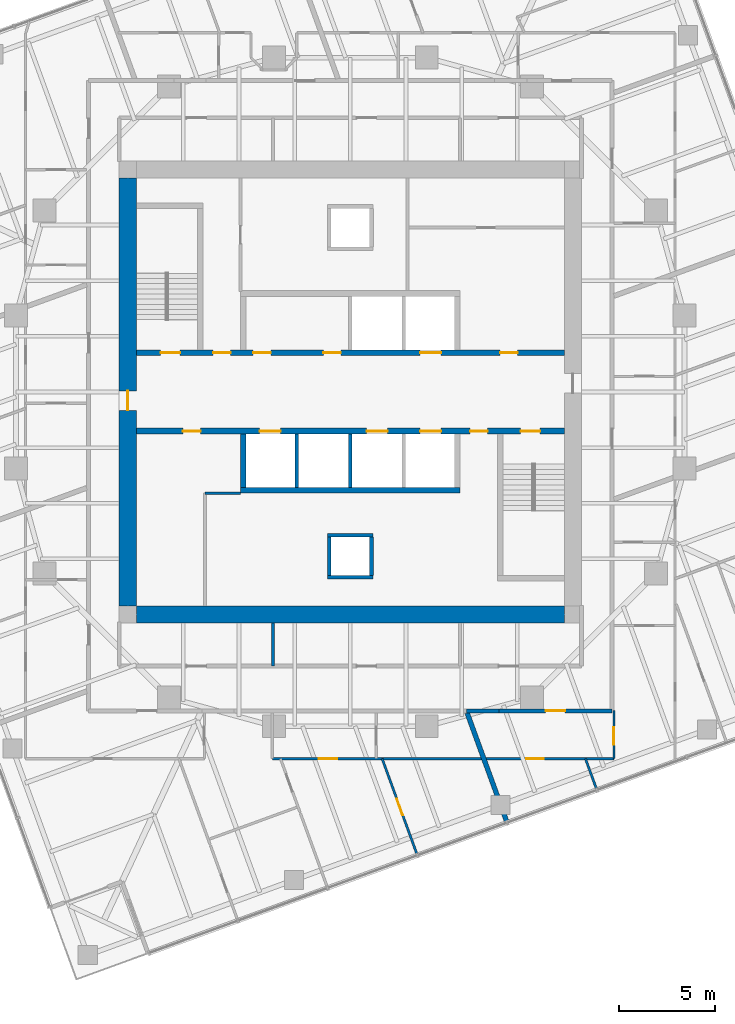
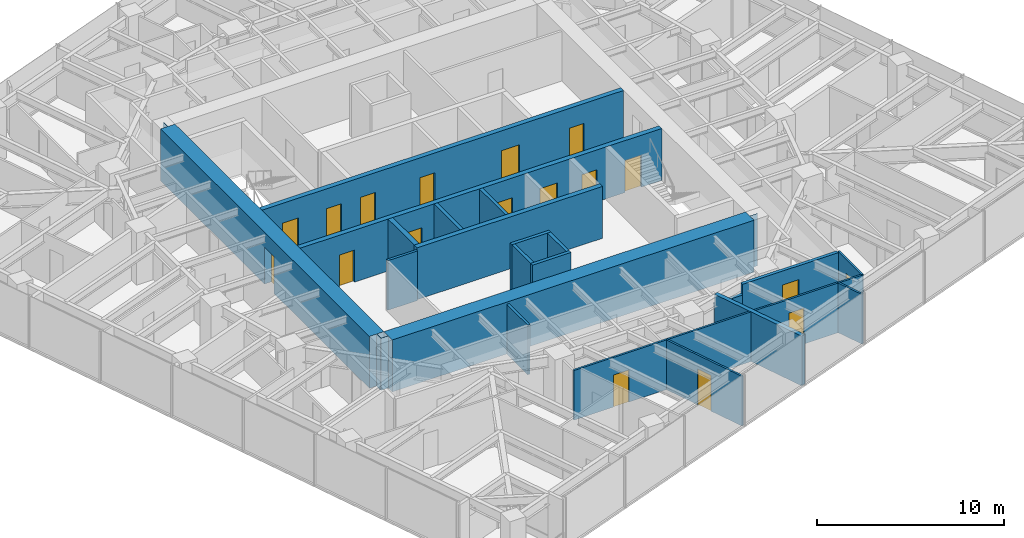
# One storey, part 8 of 13: 21 walls, 18 doors, 18 openings.
"""IFC4 building model written with IfcOpenShell, lengths in metres."""

from ifc_helpers import new_model, si_unit, direction, frame, frame_2d, origin, place, context, subcontext, project, spatial, polyline, rectangle, outline, extrude, material, layer, layer_set, type_object, element, fill, save


model = new_model("IFC4")

# Units and contexts
model_context = context("Model", 3, precision=1e-05, world=origin(), true_north=direction((0.0, 1.0)))
body_context = subcontext(model_context, "Body", "Model", "MODEL_VIEW")
ifc_project = project(units=[si_unit("LENGTHUNIT", "METRE"), si_unit("AREAUNIT", "SQUARE_METRE"), si_unit("VOLUMEUNIT", "CUBIC_METRE"), si_unit("PLANEANGLEUNIT", "RADIAN"), si_unit("MASSUNIT", "GRAM", prefix="KILO")], contexts=[model_context])

# Site, building, storey
site_placement = place(None, origin())
site = spatial("IfcSite", under=ifc_project, at=site_placement, CompositionType="ELEMENT")
building_placement = place(site_placement, origin())
building = spatial("IfcBuilding", under=site, at=building_placement, Name="Torsade Residences", CompositionType="ELEMENT")
storey_placement = place(building_placement, frame((0.0, 0.0, 147.199951171875)))
storey = spatial("IfcBuildingStorey", under=building, at=storey_placement, Name="L40", CompositionType="ELEMENT", Elevation=147.199951171875)

# Wall, openings, doors
ifc_material_1 = material(Name="Concrete 80 MPa", Category="concrete")
ifc_layer_1 = layer(ifc_material_1, 0.300048828125)
ifc_layer_set_1 = layer_set([ifc_layer_1], Name="Concrete 80 MPa")
wall_type_1 = type_object("IfcWallType", Name="CORE INTERNAL WALL 300", PredefinedType="SHEAR", material=ifc_layer_set_1)
wall_1_placement = place(storey_placement, frame((28.800048828125, 32.050048828125, 0.0), z_axis=(0.0, 0.0, 1.0), x_axis=(1.0, 0.0, 0.0)))
wall_1 = element("IfcWall", 1, at=wall_1_placement, inside=storey, type_object=wall_type_1, Name="Core wall LN L40", PredefinedType="SHEAR", context=body_context, shape_type="SweptSolid", body=[
    extrude(rectangle(XDim=22.39990234375, YDim=0.300048828125, at=frame_2d((11.199951171875, 0.0))), origin(), (0.0, 0.0, 1.0), 3.400146484375),
])
opening_1_placement = place(wall_1_placement, frame((19.0400390625, 0.0, 0.0)))
opening_1 = element("IfcOpeningElement", 2, at=opening_1_placement, cuts=wall_1, Name="Opening D06", PredefinedType="OPENING", context=body_context, shape_type="SweptSolid", body=[
    extrude(rectangle(XDim=0.919921875, YDim=2.10009765625, at=frame_2d((0.4599609375, 1.050048828125))), frame((0.0, 0.159912109375, 0.0), z_axis=(0.0, -1.0, 0.0), x_axis=(1.0, 0.0, 0.0)), (0.0, 0.0, 1.0), 0.320068359375),
])
opening_2_placement = place(wall_1_placement, frame((1.264892578125, 0.0, 0.0)))
opening_2 = element("IfcOpeningElement", 3, at=opening_2_placement, cuts=wall_1, Name="Opening D03", PredefinedType="OPENING", context=body_context, shape_type="SweptSolid", body=[
    extrude(rectangle(XDim=1.02001953125, YDim=2.10009765625, at=frame_2d((0.510009765625, 1.050048828125))), frame((0.0, 0.159912109375, 0.0), z_axis=(0.0, -1.0, 0.0), x_axis=(1.0, 0.0, 0.0)), (0.0, 0.0, 1.0), 0.320068359375),
])
opening_3_placement = place(wall_1_placement, frame((4.014892578125, 0.0, 0.0)))
opening_3 = element("IfcOpeningElement", 4, at=opening_3_placement, cuts=wall_1, Name="Opening D06", PredefinedType="OPENING", context=body_context, shape_type="SweptSolid", body=[
    extrude(rectangle(XDim=0.919921875, YDim=2.10009765625, at=frame_2d((0.4599609375, 1.050048828125))), frame((0.0, 0.159912109375, 0.0), z_axis=(0.0, -1.0, 0.0), x_axis=(1.0, 0.0, 0.0)), (0.0, 0.0, 1.0), 0.320068359375),
])
opening_4_placement = place(wall_1_placement, frame((6.114990234375, 0.0, 0.0)))
opening_4 = element("IfcOpeningElement", 5, at=opening_4_placement, cuts=wall_1, Name="Opening D06", PredefinedType="OPENING", context=body_context, shape_type="SweptSolid", body=[
    extrude(rectangle(XDim=0.919921875, YDim=2.10009765625, at=frame_2d((0.4599609375, 1.050048828125))), frame((0.0, 0.159912109375, 0.0), z_axis=(0.0, -1.0, 0.0), x_axis=(1.0, 0.0, 0.0)), (0.0, 0.0, 1.0), 0.320068359375),
])
opening_5_placement = place(wall_1_placement, frame((9.7900390625, 0.0, 0.0)))
opening_5 = element("IfcOpeningElement", 6, at=opening_5_placement, cuts=wall_1, Name="Opening D06", PredefinedType="OPENING", context=body_context, shape_type="SweptSolid", body=[
    extrude(rectangle(XDim=0.919921875, YDim=2.10009765625, at=frame_2d((0.4599609375, 1.050048828125))), frame((0.0, 0.159912109375, 0.0), z_axis=(0.0, -1.0, 0.0), x_axis=(1.0, 0.0, 0.0)), (0.0, 0.0, 1.0), 0.320068359375),
])
opening_6_placement = place(wall_1_placement, frame((14.85009765625, 0.0, 0.0)))
opening_6 = element("IfcOpeningElement", 7, at=opening_6_placement, cuts=wall_1, Name="Opening LD", PredefinedType="OPENING", context=body_context, shape_type="SweptSolid", body=[
    extrude(rectangle(XDim=1.10009765625, YDim=2.10009765625, at=frame_2d((0.550048828125, 1.050048828125))), frame((0.0, 0.159912109375, 0.0), z_axis=(0.0, -1.0, 0.0), x_axis=(1.0, 0.0, 0.0)), (0.0, 0.0, 1.0), 0.320068359375),
])
ifc_material_2 = material(Name="Steel-framed fire door", Category="steel")
door_type_1 = type_object("IfcDoorType", Name="FIRE DOOR 1020", OperationType="NOTDEFINED", PredefinedType="DOOR", material=ifc_material_2)
door_1_placement = place(opening_2_placement, origin())
door_1 = element("IfcDoor", 8, at=door_1_placement, inside=storey, type_object=door_type_1, Name="Exit door to fire-isolated stair ST1 L40", OperationType="SINGLE_SWING_RIGHT", OverallHeight=2.10009765625, OverallWidth=1.02001953125, PredefinedType="DOOR", context=body_context, shape_type="SweptSolid", body=[
    extrude(rectangle(XDim=1.02001953125, YDim=2.10009765625, at=frame_2d((0.510009765625, 1.050048828125))), frame((0.0, 0.02490234375, 0.0), z_axis=(0.0, -1.0, 0.0), x_axis=(1.0, 0.0, 0.0)), (0.0, 0.0, 1.0), 0.050048828125),
])
fill(opening_2, door_1)
ifc_material_3 = material(Name="Steel-framed fire door", Category="steel")
door_type_2 = type_object("IfcDoorType", Name="FIRE DOOR 920", OperationType="NOTDEFINED", PredefinedType="DOOR", material=ifc_material_3)
door_2_placement = place(opening_1_placement, origin())
door_2 = element("IfcDoor", 9, at=door_2_placement, inside=storey, type_object=door_type_2, Name="Door Lift lobby to Refuse room", OperationType="SINGLE_SWING_LEFT", OverallHeight=2.10009765625, OverallWidth=0.919921875, PredefinedType="DOOR", context=body_context, shape_type="SweptSolid", body=[
    extrude(rectangle(XDim=0.919921875, YDim=2.10009765625, at=frame_2d((0.4599609375, 1.050048828125))), frame((0.0, 0.02490234375, 0.0), z_axis=(0.0, -1.0, 0.0), x_axis=(1.0, 0.0, 0.0)), (0.0, 0.0, 1.0), 0.050048828125),
])
fill(opening_1, door_2)
door_3_placement = place(opening_3_placement, origin())
door_3 = element("IfcDoor", 10, at=door_3_placement, inside=storey, type_object=door_type_2, Name="Door Lift lobby to Main switchboard store", OperationType="SINGLE_SWING_LEFT", OverallHeight=2.10009765625, OverallWidth=0.919921875, PredefinedType="DOOR", context=body_context, shape_type="SweptSolid", body=[
    extrude(rectangle(XDim=0.919921875, YDim=2.10009765625, at=frame_2d((0.4599609375, 1.050048828125))), frame((0.0, 0.02490234375, 0.0), z_axis=(0.0, -1.0, 0.0), x_axis=(1.0, 0.0, 0.0)), (0.0, 0.0, 1.0), 0.050048828125),
])
fill(opening_3, door_3)
door_4_placement = place(opening_4_placement, origin())
door_4 = element("IfcDoor", 11, at=door_4_placement, inside=storey, type_object=door_type_2, Name="Door Lift lobby to Bulky waste store L40A", OperationType="SINGLE_SWING_LEFT", OverallHeight=2.10009765625, OverallWidth=0.919921875, PredefinedType="DOOR", context=body_context, shape_type="SweptSolid", body=[
    extrude(rectangle(XDim=0.919921875, YDim=2.10009765625, at=frame_2d((0.4599609375, 1.050048828125))), frame((0.0, 0.02490234375, 0.0), z_axis=(0.0, -1.0, 0.0), x_axis=(1.0, 0.0, 0.0)), (0.0, 0.0, 1.0), 0.050048828125),
])
fill(opening_4, door_4)
door_5_placement = place(opening_5_placement, origin())
door_5 = element("IfcDoor", 12, at=door_5_placement, inside=storey, type_object=door_type_2, Name="Door Lift lobby to Bulky waste store L40A", OperationType="SINGLE_SWING_RIGHT", OverallHeight=2.10009765625, OverallWidth=0.919921875, PredefinedType="DOOR", context=body_context, shape_type="SweptSolid", body=[
    extrude(rectangle(XDim=0.919921875, YDim=2.10009765625, at=frame_2d((0.4599609375, 1.050048828125))), frame((0.0, 0.02490234375, 0.0), z_axis=(0.0, -1.0, 0.0), x_axis=(1.0, 0.0, 0.0)), (0.0, 0.0, 1.0), 0.050048828125),
])
fill(opening_5, door_5)
ifc_material_4 = material(Name="Stainless steel lift landing door", Category="steel")
door_type_3 = type_object("IfcDoorType", Name="LIFT LANDING DOOR 1100", OperationType="SLIDING_TO_LEFT", PredefinedType="DOOR", material=ifc_material_4)
door_6_placement = place(opening_6_placement, origin())
door_6 = element("IfcDoor", 13, at=door_6_placement, inside=storey, type_object=door_type_3, Name="Lift FL1 landing door L40", OperationType="SLIDING_TO_LEFT", OverallHeight=2.10009765625, OverallWidth=1.10009765625, PredefinedType="DOOR", context=body_context, shape_type="SweptSolid", body=[
    extrude(rectangle(XDim=1.10009765625, YDim=2.10009765625, at=frame_2d((0.550048828125, 1.050048828125))), frame((0.0, 0.02490234375, 0.0), z_axis=(0.0, -1.0, 0.0), x_axis=(1.0, 0.0, 0.0)), (0.0, 0.0, 1.0), 0.050048828125),
])
fill(opening_6, door_6)

wall_2_placement = place(storey_placement, frame((51.199951171875, 27.949951171875, 0.0), z_axis=(0.0, 0.0, 1.0), x_axis=(-1.0, 0.0, 0.0)))
wall_2 = element("IfcWall", 14, at=wall_2_placement, inside=storey, type_object=wall_type_1, Name="Core wall LS L40", PredefinedType="SHEAR", context=body_context, shape_type="SweptSolid", body=[
    extrude(rectangle(XDim=22.39990234375, YDim=0.300048828125, at=frame_2d((11.199951171875, 0.0))), origin(), (0.0, 0.0, 1.0), 3.400146484375),
])
opening_7_placement = place(wall_2_placement, frame((19.0400390625, 0.0, 0.0)))
opening_7 = element("IfcOpeningElement", 15, at=opening_7_placement, cuts=wall_2, Name="Opening D06", PredefinedType="OPENING", context=body_context, shape_type="SweptSolid", body=[
    extrude(rectangle(XDim=0.919921875, YDim=2.10009765625, at=frame_2d((0.4599609375, 1.050048828125))), frame((0.0, 0.159912109375, 0.0), z_axis=(0.0, -1.0, 0.0), x_axis=(1.0, 0.0, 0.0)), (0.0, 0.0, 1.0), 0.320068359375),
])
opening_8_placement = place(wall_2_placement, frame((1.264892578125, 0.0, 0.0)))
opening_8 = element("IfcOpeningElement", 16, at=opening_8_placement, cuts=wall_2, Name="Opening D03", PredefinedType="OPENING", context=body_context, shape_type="SweptSolid", body=[
    extrude(rectangle(XDim=1.02001953125, YDim=2.10009765625, at=frame_2d((0.510009765625, 1.050048828125))), frame((0.0, 0.159912109375, 0.0), z_axis=(0.0, -1.0, 0.0), x_axis=(1.0, 0.0, 0.0)), (0.0, 0.0, 1.0), 0.320068359375),
])
opening_9_placement = place(wall_2_placement, frame((4.014892578125, 0.0, 0.0)))
opening_9 = element("IfcOpeningElement", 17, at=opening_9_placement, cuts=wall_2, Name="Opening D06", PredefinedType="OPENING", context=body_context, shape_type="SweptSolid", body=[
    extrude(rectangle(XDim=0.919921875, YDim=2.10009765625, at=frame_2d((0.4599609375, 1.050048828125))), frame((0.0, 0.159912109375, 0.0), z_axis=(0.0, -1.0, 0.0), x_axis=(1.0, 0.0, 0.0)), (0.0, 0.0, 1.0), 0.320068359375),
])
opening_10_placement = place(wall_2_placement, frame((6.449951171875, 0.0, 0.0)))
opening_10 = element("IfcOpeningElement", 18, at=opening_10_placement, cuts=wall_2, Name="Opening LD", PredefinedType="OPENING", context=body_context, shape_type="SweptSolid", body=[
    extrude(rectangle(XDim=1.10009765625, YDim=2.10009765625, at=frame_2d((0.550048828125, 1.050048828125))), frame((0.0, 0.159912109375, 0.0), z_axis=(0.0, -1.0, 0.0), x_axis=(1.0, 0.0, 0.0)), (0.0, 0.0, 1.0), 0.320068359375),
])
opening_11_placement = place(wall_2_placement, frame((9.25, 0.0, 0.0)))
opening_11 = element("IfcOpeningElement", 19, at=opening_11_placement, cuts=wall_2, Name="Opening LD", PredefinedType="OPENING", context=body_context, shape_type="SweptSolid", body=[
    extrude(rectangle(XDim=1.10009765625, YDim=2.10009765625, at=frame_2d((0.550048828125, 1.050048828125))), frame((0.0, 0.159912109375, 0.0), z_axis=(0.0, -1.0, 0.0), x_axis=(1.0, 0.0, 0.0)), (0.0, 0.0, 1.0), 0.320068359375),
])
opening_12_placement = place(wall_2_placement, frame((14.85009765625, 0.0, 0.0)))
opening_12 = element("IfcOpeningElement", 20, at=opening_12_placement, cuts=wall_2, Name="Opening LD", PredefinedType="OPENING", context=body_context, shape_type="SweptSolid", body=[
    extrude(rectangle(XDim=1.10009765625, YDim=2.10009765625, at=frame_2d((0.550048828125, 1.050048828125))), frame((0.0, 0.159912109375, 0.0), z_axis=(0.0, -1.0, 0.0), x_axis=(1.0, 0.0, 0.0)), (0.0, 0.0, 1.0), 0.320068359375),
])
door_7_placement = place(opening_8_placement, origin())
door_7 = element("IfcDoor", 21, at=door_7_placement, inside=storey, type_object=door_type_1, Name="Exit door to fire-isolated stair ST2 L40", OperationType="SINGLE_SWING_RIGHT", OverallHeight=2.10009765625, OverallWidth=1.02001953125, PredefinedType="DOOR", context=body_context, shape_type="SweptSolid", body=[
    extrude(rectangle(XDim=1.02001953125, YDim=2.10009765625, at=frame_2d((0.510009765625, 1.050048828125))), frame((0.0, 0.02490234375, 0.0), z_axis=(0.0, -1.0, 0.0), x_axis=(1.0, 0.0, 0.0)), (0.0, 0.0, 1.0), 0.050048828125),
])
fill(opening_8, door_7)
door_8_placement = place(opening_7_placement, origin())
door_8 = element("IfcDoor", 22, at=door_8_placement, inside=storey, type_object=door_type_2, Name="Door Lift lobby to Cleaner store", OperationType="SINGLE_SWING_LEFT", OverallHeight=2.10009765625, OverallWidth=0.919921875, PredefinedType="DOOR", context=body_context, shape_type="SweptSolid", body=[
    extrude(rectangle(XDim=0.919921875, YDim=2.10009765625, at=frame_2d((0.4599609375, 1.050048828125))), frame((0.0, 0.02490234375, 0.0), z_axis=(0.0, -1.0, 0.0), x_axis=(1.0, 0.0, 0.0)), (0.0, 0.0, 1.0), 0.050048828125),
])
fill(opening_7, door_8)
door_9_placement = place(opening_9_placement, origin())
door_9 = element("IfcDoor", 23, at=door_9_placement, inside=storey, type_object=door_type_2, Name="Door Lift lobby to Communications riser room", OperationType="SINGLE_SWING_RIGHT", OverallHeight=2.10009765625, OverallWidth=0.919921875, PredefinedType="DOOR", context=body_context, shape_type="SweptSolid", body=[
    extrude(rectangle(XDim=0.919921875, YDim=2.10009765625, at=frame_2d((0.4599609375, 1.050048828125))), frame((0.0, 0.02490234375, 0.0), z_axis=(0.0, -1.0, 0.0), x_axis=(1.0, 0.0, 0.0)), (0.0, 0.0, 1.0), 0.050048828125),
])
fill(opening_9, door_9)
door_10_placement = place(opening_10_placement, origin())
door_10 = element("IfcDoor", 24, at=door_10_placement, inside=storey, type_object=door_type_3, Name="Lift LB1 landing door L40", OperationType="SLIDING_TO_LEFT", OverallHeight=2.10009765625, OverallWidth=1.10009765625, PredefinedType="DOOR", context=body_context, shape_type="SweptSolid", body=[
    extrude(rectangle(XDim=1.10009765625, YDim=2.10009765625, at=frame_2d((0.550048828125, 1.050048828125))), frame((0.0, 0.02490234375, 0.0), z_axis=(0.0, -1.0, 0.0), x_axis=(1.0, 0.0, 0.0)), (0.0, 0.0, 1.0), 0.050048828125),
])
fill(opening_10, door_10)
door_11_placement = place(opening_11_placement, origin())
door_11 = element("IfcDoor", 25, at=door_11_placement, inside=storey, type_object=door_type_3, Name="Lift LB2 landing door L40", OperationType="SLIDING_TO_LEFT", OverallHeight=2.10009765625, OverallWidth=1.10009765625, PredefinedType="DOOR", context=body_context, shape_type="SweptSolid", body=[
    extrude(rectangle(XDim=1.10009765625, YDim=2.10009765625, at=frame_2d((0.550048828125, 1.050048828125))), frame((0.0, 0.02490234375, 0.0), z_axis=(0.0, -1.0, 0.0), x_axis=(1.0, 0.0, 0.0)), (0.0, 0.0, 1.0), 0.050048828125),
])
fill(opening_11, door_11)
door_12_placement = place(opening_12_placement, origin())
door_12 = element("IfcDoor", 26, at=door_12_placement, inside=storey, type_object=door_type_3, Name="Lift FL2 landing door L40", OperationType="SLIDING_TO_LEFT", OverallHeight=2.10009765625, OverallWidth=1.10009765625, PredefinedType="DOOR", context=body_context, shape_type="SweptSolid", body=[
    extrude(rectangle(XDim=1.10009765625, YDim=2.10009765625, at=frame_2d((0.550048828125, 1.050048828125))), frame((0.0, 0.02490234375, 0.0), z_axis=(0.0, -1.0, 0.0), x_axis=(1.0, 0.0, 0.0)), (0.0, 0.0, 1.0), 0.050048828125),
])
fill(opening_12, door_12)

# Walls
wall_3_placement = place(storey_placement, frame((45.75, 24.85009765625, 0.0), z_axis=(0.0, 0.0, 1.0), x_axis=(-1.0, 0.0, 0.0)))
element("IfcWall", 27, at=wall_3_placement, inside=storey, type_object=wall_type_1, Name="Core wall BS L40", PredefinedType="SHEAR", context=body_context, shape_type="SweptSolid", body=[
    extrude(rectangle(XDim=11.5, YDim=0.300048828125, at=frame_2d((5.75, 0.0))), origin(), (0.0, 0.0, 1.0), 3.400146484375),
])
wall_4_placement = place(storey_placement, frame((34.39990234375, 27.800048828125, 0.0), z_axis=(0.0, 0.0, 1.0), x_axis=(0.0, -1.0, 0.0)))
element("IfcWall", 28, at=wall_4_placement, inside=storey, type_object=wall_type_1, Name="Core wall DS4 L40", PredefinedType="SHEAR", context=body_context, shape_type="SweptSolid", body=[
    extrude(rectangle(XDim=2.800048828125, YDim=0.300048828125, at=frame_2d((1.39990234375, 0.0))), origin(), (0.0, 0.0, 1.0), 3.400146484375),
])
ifc_material_5 = material(Name="Concrete 80 MPa", Category="concrete")
ifc_layer_2 = layer(ifc_material_5, 0.89990234375)
ifc_layer_set_2 = layer_set([ifc_layer_2], Name="Concrete 80 MPa")
wall_type_2 = type_object("IfcWallType", Name="CORE WALL 900", PredefinedType="SHEAR", material=ifc_layer_set_2)
wall_5_placement = place(storey_placement, frame((51.199951171875, 18.35009765625, 0.0), z_axis=(0.0, 0.0, 1.0), x_axis=(-1.0, 0.0, 0.0)))
element("IfcWall", 29, at=wall_5_placement, inside=storey, type_object=wall_type_2, Name="Core wall S L40", PredefinedType="SHEAR", context=body_context, shape_type="SweptSolid", body=[
    extrude(outline(polyline([(0.0, -0.449951171875), (22.39990234375, -0.449951171875), (22.39990234375, -0.02490234375), (22.849853515625, -0.02490234375), (22.849853515625, 0.02490234375), (22.39990234375, 0.02490234375), (22.39990234375, 0.449951171875), (0.0, 0.449951171875), (0.0, 0.02490234375), (-0.449951171875, 0.02490234375), (-0.449951171875, -0.02490234375), (0.0, -0.02490234375), (0.0, -0.449951171875)])), origin(), (0.0, 0.0, 1.0), 3.400146484375),
])

# Wall, opening, door
wall_6_placement = place(storey_placement, frame((28.35009765625, 41.199951171875, 0.0), z_axis=(0.0, 0.0, 1.0), x_axis=(0.0, -1.0, 0.0)))
wall_6 = element("IfcWall", 30, at=wall_6_placement, inside=storey, type_object=wall_type_2, Name="Core wall W L40", PredefinedType="SHEAR", context=body_context, shape_type="SweptSolid", body=[
    extrude(outline(polyline([(0.0, -0.449951171875), (22.39990234375, -0.449951171875), (22.39990234375, -0.02490234375), (22.849853515625, -0.02490234375), (22.849853515625, 0.02490234375), (22.39990234375, 0.02490234375), (22.39990234375, 0.449951171875), (0.0, 0.449951171875), (0.0, 0.02490234375), (-0.449951171875, 0.02490234375), (-0.449951171875, -0.02490234375), (0.0, -0.02490234375), (0.0, -0.449951171875)])), origin(), (0.0, 0.0, 1.0), 3.400146484375),
])
opening_13_placement = place(wall_6_placement, frame((11.139892578125, 0.0, 0.0)))
opening_13 = element("IfcOpeningElement", 31, at=opening_13_placement, cuts=wall_6, Name="Opening D04", PredefinedType="OPENING", context=body_context, shape_type="SweptSolid", body=[
    extrude(rectangle(XDim=1.02001953125, YDim=2.39990234375, at=frame_2d((0.510009765625, 1.199951171875))), frame((0.0, 0.4599609375, 0.0), z_axis=(0.0, -1.0, 0.0), x_axis=(1.0, 0.0, 0.0)), (0.0, 0.0, 1.0), 0.919921875),
])
ifc_material_6 = material(Name="Steel-framed fire door", Category="steel")
door_type_4 = type_object("IfcDoorType", Name="LOBBY SMOKE DOOR 1020x2400", OperationType="NOTDEFINED", PredefinedType="DOOR", material=ifc_material_6)
door_13_placement = place(opening_13_placement, origin())
door_13 = element("IfcDoor", 32, at=door_13_placement, inside=storey, type_object=door_type_4, Name="Lift lobby door W L40", OperationType="SINGLE_SWING_RIGHT", OverallHeight=2.39990234375, OverallWidth=1.02001953125, PredefinedType="DOOR", context=body_context, shape_type="SweptSolid", body=[
    extrude(rectangle(XDim=1.02001953125, YDim=2.39990234375, at=frame_2d((0.510009765625, 1.199951171875))), frame((0.0, 0.02490234375, 0.0), z_axis=(0.0, -1.0, 0.0), x_axis=(1.0, 0.0, 0.0)), (0.0, 0.0, 1.0), 0.050048828125),
])
fill(opening_13, door_13)

# Wall
ifc_material_7 = material(Name="Plasterboard on steel stud", Category="steel")
ifc_layer_3 = layer(ifc_material_7, 0.199951171875)
ifc_layer_set_3 = layer_set([ifc_layer_3], Name="Plasterboard on steel stud")
wall_type_3 = type_object("IfcWallType", Name="CORRIDOR WALL 200", PredefinedType="PARTITIONING", material=ifc_layer_set_3)
wall_7_placement = place(storey_placement, frame((46.091552734375, 13.300048828125, 0.0), z_axis=(0.0, 0.0, 1.0), x_axis=(1.0, 0.0, 0.0)))
element("IfcWall", 33, at=wall_7_placement, inside=storey, type_object=wall_type_3, Name="Corridor wall L40", PredefinedType="PARTITIONING", context=body_context, shape_type="SweptSolid", body=[
    extrude(rectangle(XDim=1.68359375, YDim=0.199951171875, at=frame_2d((0.841796875, 0.0))), origin(), (0.0, 0.0, 1.0), 2.550048828125),
])

# Wall, opening, door
wall_8_placement = place(storey_placement, frame((47.775146484375, 13.300048828125, 0.0), z_axis=(0.0, 0.0, 1.0), x_axis=(1.0, 0.0, 0.0)))
wall_8 = element("IfcWall", 34, at=wall_8_placement, inside=storey, type_object=wall_type_3, Name="Corridor wall L40", PredefinedType="PARTITIONING", context=body_context, shape_type="SweptSolid", body=[
    extrude(rectangle(XDim=5.9248046875, YDim=0.199951171875, at=frame_2d((2.96240234375, 0.0))), origin(), (0.0, 0.0, 1.0), 3.25),
])
opening_14_placement = place(wall_8_placement, frame((2.453369140625, 0.0, 0.0)))
opening_14 = element("IfcOpeningElement", 35, at=opening_14_placement, cuts=wall_8, Name="Opening D01", PredefinedType="OPENING", context=body_context, shape_type="SweptSolid", body=[
    extrude(rectangle(XDim=1.02001953125, YDim=2.340087890625, at=frame_2d((0.510009765625, 1.169921875))), frame((0.0, 0.10986328125, 0.0), z_axis=(0.0, -1.0, 0.0), x_axis=(1.0, 0.0, 0.0)), (0.0, 0.0, 1.0), 0.219970703125),
])
ifc_material_8 = material(Name="Solid-core timber fire door", Category="wood")
door_type_5 = type_object("IfcDoorType", Name="APARTMENT ENTRY DOOR 1020x2340", OperationType="NOTDEFINED", PredefinedType="DOOR", material=ifc_material_8)
door_14_placement = place(opening_14_placement, origin())
door_14 = element("IfcDoor", 36, at=door_14_placement, inside=storey, type_object=door_type_5, Name="Door Residential corridor to Kitchen and dining", OperationType="SINGLE_SWING_LEFT", OverallHeight=2.340087890625, OverallWidth=1.02001953125, PredefinedType="DOOR", context=body_context, shape_type="SweptSolid", body=[
    extrude(rectangle(XDim=1.02001953125, YDim=2.340087890625, at=frame_2d((0.510009765625, 1.169921875))), frame((0.0, 0.02490234375, 0.0), z_axis=(0.0, -1.0, 0.0), x_axis=(1.0, 0.0, 0.0)), (0.0, 0.0, 1.0), 0.050048828125),
])
fill(opening_14, door_14)

# Walls
ifc_material_9 = material(Name="Reinforced blockwork", Category="masonry")
ifc_layer_4 = layer(ifc_material_9, 0.199951171875)
ifc_layer_set_4 = layer_set([ifc_layer_4], Name="Reinforced blockwork")
wall_type_4 = type_object("IfcWallType", Name="LIFT SHAFT DIVIDING WALL 200", PredefinedType="SOLIDWALL", material=ifc_layer_set_4)
for number, where, z_axis, x_axis, name in (
    (37, (40.0, 27.800048828125, 0.0), (0.0, 0.0, 1.0), (0.0, -1.0, 0.0), "Core wall DS2 L40"),
    (38, (37.199951171875, 27.800048828125, 0.0), (0.0, 0.0, 1.0), (0.0, -1.0, 0.0), "Core wall DS3 L40"),
):
    element("IfcWall", number, at=place(storey_placement, frame(where, z_axis=z_axis, x_axis=x_axis)), inside=storey, type_object=wall_type_4, Name=name, PredefinedType="SOLIDWALL", context=body_context, shape_type="SweptSolid", body=[
        extrude(rectangle(XDim=2.800048828125, YDim=0.199951171875, at=frame_2d((1.39990234375, 0.0))), origin(), (0.0, 0.0, 1.0), 3.400146484375),
    ])

# Wall, openings, doors
ifc_material_10 = material(Name="Plasterboard on steel stud", Category="steel")
ifc_layer_5 = layer(ifc_material_10, 0.1201171875)
ifc_layer_set_5 = layer_set([ifc_layer_5], Name="Plasterboard on steel stud")
wall_type_5 = type_object("IfcWallType", Name="PARTITION 120", PredefinedType="PARTITIONING", material=ifc_layer_set_5)
wall_9_placement = place(storey_placement, frame((53.800048828125, 10.800048828125, 0.0), z_axis=(0.0, 0.0, 1.0), x_axis=(-1.0, 0.0, 0.0)))
wall_9 = element("IfcWall", 39, at=wall_9_placement, inside=storey, type_object=wall_type_5, Name="Partition L40", PredefinedType="PARTITIONING", context=body_context, shape_type="SweptSolid", body=[
    extrude(rectangle(XDim=17.884033203125, YDim=0.1201171875, at=frame_2d((8.94189453125, 0.0))), origin(), (0.0, 0.0, 1.0), 3.25),
])
opening_15_placement = place(wall_9_placement, frame((3.664794921875, 0.0, 0.0)))
opening_15 = element("IfcOpeningElement", 40, at=opening_15_placement, cuts=wall_9, Name="Opening D02", PredefinedType="OPENING", context=body_context, shape_type="SweptSolid", body=[
    extrude(rectangle(XDim=0.919921875, YDim=2.340087890625, at=frame_2d((0.4599609375, 1.169921875))), frame((0.0, 0.070068359375, 0.0), z_axis=(0.0, -1.0, 0.0), x_axis=(1.0, 0.0, 0.0)), (0.0, 0.0, 1.0), 0.14013671875),
])
opening_16_placement = place(wall_9_placement, frame((14.4970703125, 0.0, 0.0)))
opening_16 = element("IfcOpeningElement", 41, at=opening_16_placement, cuts=wall_9, Name="Opening D05", PredefinedType="OPENING", context=body_context, shape_type="SweptSolid", body=[
    extrude(rectangle(XDim=0.9599609375, YDim=2.10009765625, at=frame_2d((0.47998046875, 1.050048828125))), frame((0.0, 0.070068359375, 0.0), z_axis=(0.0, -1.0, 0.0), x_axis=(1.0, 0.0, 0.0)), (0.0, 0.0, 1.0), 0.14013671875),
])
ifc_material_11 = material(Name="Hollow-core timber door in a steel cavity frame", Category="steel")
door_type_6 = type_object("IfcDoorType", Name="BATHROOM CAVITY SLIDING DOOR 960", OperationType="SLIDING_TO_LEFT", PredefinedType="DOOR", material=ifc_material_11)
door_15_placement = place(opening_16_placement, origin())
door_15 = element("IfcDoor", 42, at=door_15_placement, inside=storey, type_object=door_type_6, Name="Door Bedroom 1 to Ensuite 2", OperationType="SLIDING_TO_LEFT", OverallHeight=2.10009765625, OverallWidth=0.9599609375, PredefinedType="DOOR", context=body_context, shape_type="SweptSolid", body=[
    extrude(rectangle(XDim=0.9599609375, YDim=2.10009765625, at=frame_2d((0.47998046875, 1.050048828125))), frame((0.0, 0.02490234375, 0.0), z_axis=(0.0, -1.0, 0.0), x_axis=(1.0, 0.0, 0.0)), (0.0, 0.0, 1.0), 0.050048828125),
])
fill(opening_16, door_15)
ifc_material_12 = material(Name="Hollow-core timber door", Category="wood")
door_type_7 = type_object("IfcDoorType", Name="INTERNAL DOOR 920x2340", OperationType="NOTDEFINED", PredefinedType="DOOR", material=ifc_material_12)
door_16_placement = place(opening_15_placement, origin())
door_16 = element("IfcDoor", 43, at=door_16_placement, inside=storey, type_object=door_type_7, Name="Door Kitchen and dining to Family room", OperationType="SINGLE_SWING_RIGHT", OverallHeight=2.340087890625, OverallWidth=0.919921875, PredefinedType="DOOR", context=body_context, shape_type="SweptSolid", body=[
    extrude(rectangle(XDim=0.919921875, YDim=2.340087890625, at=frame_2d((0.4599609375, 1.169921875))), frame((0.0, 0.02490234375, 0.0), z_axis=(0.0, -1.0, 0.0), x_axis=(1.0, 0.0, 0.0)), (0.0, 0.0, 1.0), 0.050048828125),
])
fill(opening_15, door_16)

# Wall, opening, door
wall_10_placement = place(storey_placement, frame((41.66748046875, 10.800048828125, 0.0), z_axis=(0.0, 0.0, 1.0), x_axis=(0.341995981916, -0.939701414468, 0.0)))
wall_10 = element("IfcWall", 44, at=wall_10_placement, inside=storey, type_object=wall_type_5, Name="Partition L40", PredefinedType="PARTITIONING", context=body_context, shape_type="SweptSolid", body=[
    extrude(rectangle(XDim=5.34765625, YDim=0.1201171875, at=frame_2d((2.673828125, 0.0))), origin(), (0.0, 0.0, 1.0), 3.25),
])
opening_17_placement = place(wall_10_placement, frame((2.23388671875, 0.0, 0.0)))
opening_17 = element("IfcOpeningElement", 45, at=opening_17_placement, cuts=wall_10, Name="Opening D02", PredefinedType="OPENING", context=body_context, shape_type="SweptSolid", body=[
    extrude(rectangle(XDim=0.919921875, YDim=2.340087890625, at=frame_2d((0.4599609375, 1.169921875))), frame((0.0, 0.070068359375, 0.0), z_axis=(0.0, -1.0, 0.0), x_axis=(1.0, 0.0, 0.0)), (0.0, 0.0, 1.0), 0.14013671875),
])
door_17_placement = place(opening_17_placement, origin())
door_17 = element("IfcDoor", 46, at=door_17_placement, inside=storey, type_object=door_type_7, Name="Door Bedroom 1 to Bedroom 2", OperationType="SINGLE_SWING_LEFT", OverallHeight=2.340087890625, OverallWidth=0.919921875, PredefinedType="DOOR", context=body_context, shape_type="SweptSolid", body=[
    extrude(rectangle(XDim=0.919921875, YDim=2.340087890625, at=frame_2d((0.4599609375, 1.169921875))), frame((0.0, 0.02490234375, 0.0), z_axis=(0.0, -1.0, 0.0), x_axis=(1.0, 0.0, 0.0)), (0.0, 0.0, 1.0), 0.050048828125),
])
fill(opening_17, door_17)

wall_11_placement = place(storey_placement, frame((53.800048828125, 13.320068359375, 0.0), z_axis=(0.0, 0.0, 1.0), x_axis=(0.0, -1.0, 0.0)))
wall_11 = element("IfcWall", 47, at=wall_11_placement, inside=storey, type_object=wall_type_5, Name="Partition L40", PredefinedType="PARTITIONING", context=body_context, shape_type="SweptSolid", body=[
    extrude(rectangle(XDim=2.52001953125, YDim=0.1201171875, at=frame_2d((1.260009765625, 0.0))), origin(), (0.0, 0.0, 1.0), 3.25),
])
opening_18_placement = place(wall_11_placement, frame((0.859619140625, 0.0, 0.0)))
opening_18 = element("IfcOpeningElement", 48, at=opening_18_placement, cuts=wall_11, Name="Opening D02", PredefinedType="OPENING", context=body_context, shape_type="SweptSolid", body=[
    extrude(rectangle(XDim=0.919921875, YDim=2.340087890625, at=frame_2d((0.4599609375, 1.169921875))), frame((0.0, 0.070068359375, 0.0), z_axis=(0.0, -1.0, 0.0), x_axis=(1.0, 0.0, 0.0)), (0.0, 0.0, 1.0), 0.14013671875),
])
door_18_placement = place(opening_18_placement, origin())
door_18 = element("IfcDoor", 49, at=door_18_placement, inside=storey, type_object=door_type_7, Name="Door Kitchen and dining to Scullery", OperationType="SINGLE_SWING_LEFT", OverallHeight=2.340087890625, OverallWidth=0.919921875, PredefinedType="DOOR", context=body_context, shape_type="SweptSolid", body=[
    extrude(rectangle(XDim=0.919921875, YDim=2.340087890625, at=frame_2d((0.4599609375, 1.169921875))), frame((0.0, 0.02490234375, 0.0), z_axis=(0.0, -1.0, 0.0), x_axis=(1.0, 0.0, 0.0)), (0.0, 0.0, 1.0), 0.050048828125),
])
fill(opening_18, door_18)

# Walls
wall_12_placement = place(storey_placement, frame((52.893310546875, 9.195068359375, 0.0), z_axis=(0.0, 0.0, 1.0), x_axis=(-0.342052919471, 0.939680690597, 0.0)))
element("IfcWall", 50, at=wall_12_placement, inside=storey, type_object=wall_type_5, Name="Partition L40", PredefinedType="PARTITIONING", context=body_context, shape_type="SweptSolid", body=[
    extrude(rectangle(XDim=1.7080078125, YDim=0.1201171875, at=frame_2d((0.85400390625, 0.0))), origin(), (0.0, 0.0, 1.0), 3.25),
])
ifc_material_13 = material(Name="Masonry-lined stud party wall", Category="masonry")
ifc_layer_6 = layer(ifc_material_13, 0.25)
ifc_layer_set_6 = layer_set([ifc_layer_6], Name="Masonry-lined stud party wall")
wall_type_6 = type_object("IfcWallType", Name="PARTY WALL 250", PredefinedType="PARTITIONING", material=ifc_layer_set_6)
wall_13_placement = place(storey_placement, frame((48.20849609375, 7.447265625, 0.0), z_axis=(0.0, 0.0, 1.0), x_axis=(-0.341999444481, 0.939700154291, 0.0)))
element("IfcWall", 51, at=wall_13_placement, inside=storey, type_object=wall_type_6, Name="Party wall L40", PredefinedType="PARTITIONING", context=body_context, shape_type="SweptSolid", body=[
    extrude(rectangle(XDim=6.116455078125, YDim=0.25, at=frame_2d((3.05810546875, 0.0))), origin(), (0.0, 0.0, 1.0), 3.25),
])
ifc_material_14 = material(Name="Reinforced blockwork", Category="masonry")
ifc_layer_7 = layer(ifc_material_14, 0.199951171875)
ifc_layer_set_7 = layer_set([ifc_layer_7], Name="Reinforced blockwork")
wall_type_7 = type_object("IfcWallType", Name="RISER SHAFT WALL 200", PredefinedType="SOLIDWALL", material=ifc_layer_set_7)
for number, where, z_axis, x_axis, name in (
    (52, (38.89990234375, 22.39990234375, 0.0), (0.0, 0.0, 1.0), (0.0, -1.0, 0.0), "Core wall RS2a L40"),
    (53, (41.10009765625, 22.39990234375, 0.0), (0.0, 0.0, 1.0), (0.0, -1.0, 0.0), "Core wall RS2b L40"),
):
    element("IfcWall", number, at=place(storey_placement, frame(where, z_axis=z_axis, x_axis=x_axis)), inside=storey, type_object=wall_type_7, Name=name, PredefinedType="SOLIDWALL", context=body_context, shape_type="SweptSolid", body=[
        extrude(rectangle(XDim=2.0, YDim=0.199951171875, at=frame_2d((1.0, 0.0))), origin(), (0.0, 0.0, 1.0), 3.400146484375),
    ])
for number, where, z_axis, x_axis, name in (
    (54, (38.800048828125, 22.5, 0.0), (0.0, 0.0, 1.0), (1.0, 0.0, 0.0), "Core wall RS2c L40"),
    (55, (38.800048828125, 20.300048828125, 0.0), (0.0, 0.0, 1.0), (1.0, 0.0, 0.0), "Core wall RS2d L40"),
):
    element("IfcWall", number, at=place(storey_placement, frame(where, z_axis=z_axis, x_axis=x_axis)), inside=storey, type_object=wall_type_7, Name=name, PredefinedType="SOLIDWALL", context=body_context, shape_type="SweptSolid", body=[
        extrude(rectangle(XDim=2.39990234375, YDim=0.199951171875, at=frame_2d((1.199951171875, 0.0))), origin(), (0.0, 0.0, 1.0), 3.400146484375),
    ])
ifc_material_15 = material(Name="Reinforced blockwork", Category="masonry")
ifc_layer_8 = layer(ifc_material_15, 0.14990234375)
ifc_layer_set_8 = layer_set([ifc_layer_8], Name="Reinforced blockwork")
wall_type_8 = type_object("IfcWallType", Name="SERVICE ROOM WALL 150", PredefinedType="SOLIDWALL", material=ifc_layer_set_8)
wall_14_placement = place(storey_placement, frame((32.39990234375, 24.699951171875, 0.0), z_axis=(0.0, 0.0, 1.0), x_axis=(1.0, 0.0, 0.0)))
element("IfcWall", 56, at=wall_14_placement, inside=storey, type_object=wall_type_8, Name="Service room wall L40", PredefinedType="SOLIDWALL", context=body_context, shape_type="SweptSolid", body=[
    extrude(rectangle(XDim=1.85009765625, YDim=0.14990234375, at=frame_2d((0.925048828125, 0.0))), origin(), (0.0, 0.0, 1.0), 3.25),
])
wall_15_placement = place(storey_placement, frame((35.95849609375, 15.64990234375, 0.0), z_axis=(0.0, 0.0, 1.0), x_axis=(0.0, 1.0, 0.0)))
element("IfcWall", 57, at=wall_15_placement, inside=storey, type_object=wall_type_8, Name="Service room wall L40", PredefinedType="SOLIDWALL", context=body_context, shape_type="SweptSolid", body=[
    extrude(rectangle(XDim=2.25, YDim=0.14990234375, at=frame_2d((1.125, 0.0))), origin(), (0.0, 0.0, 1.0), 3.25),
])

save(model, "model.ifc")
